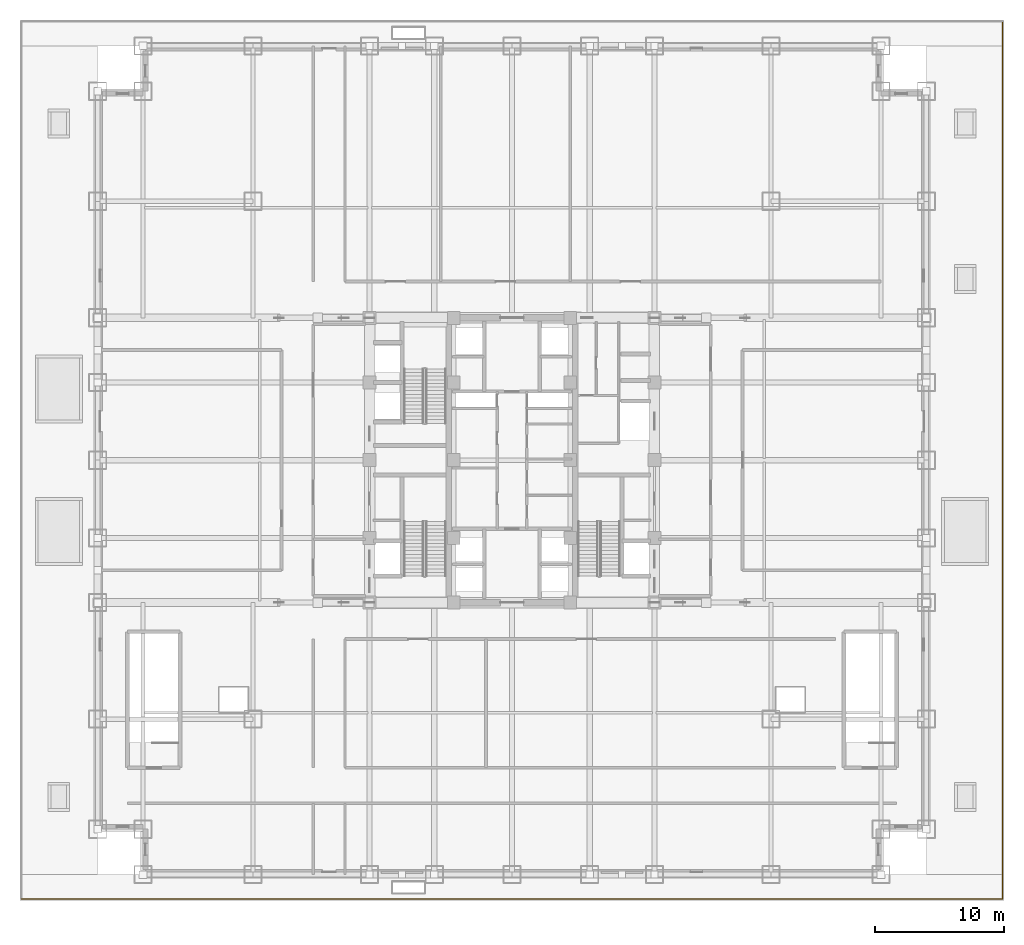
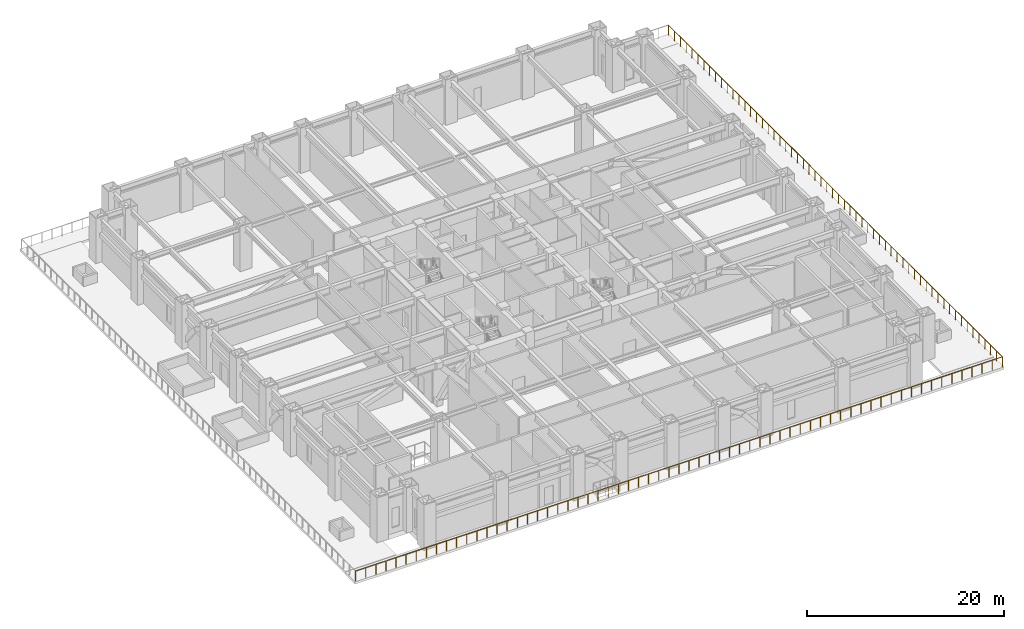
# One storey, part 20 of 21: 1 railing.
"""IFC4 building model written with IfcOpenShell, lengths in metres."""

from ifc_helpers import new_model, si_unit, direction, frame, origin, origin_2d, place, context, subcontext, project, spatial, circle, extrude, source, transform, mapped, material, type_object, element, save


model = new_model("IFC4")

# Units and contexts
model_context = context("Model", 3, precision=1e-05, world=origin(), true_north=direction((0.0, 1.0)))
body_context = subcontext(model_context, "Body", "Model", "MODEL_VIEW")
ifc_project = project(units=[si_unit("LENGTHUNIT", "METRE"), si_unit("AREAUNIT", "SQUARE_METRE"), si_unit("VOLUMEUNIT", "CUBIC_METRE"), si_unit("PLANEANGLEUNIT", "RADIAN"), si_unit("MASSUNIT", "GRAM", prefix="KILO")], contexts=[model_context])

# Site, building, storey
site_placement = place(None, origin())
site = spatial("IfcSite", under=ifc_project, at=site_placement, CompositionType="ELEMENT")
building_placement = place(site_placement, origin())
building = spatial("IfcBuilding", under=site, at=building_placement, Name="Khorayat Bourse Tower", CompositionType="ELEMENT")
storey_placement = place(building_placement, frame((0.0, 0.0, 27.0)))
storey = spatial("IfcBuildingStorey", under=building, at=storey_placement, Name="L05", CompositionType="ELEMENT", Elevation=27.0)

# Railing
ifc_material = material(Name="Laminated glass and bronze balustrade", Category="glass")
railing_type = type_object("IfcRailingType", Name="RLG-TERR-1250", PredefinedType="GUARDRAIL", material=ifc_material)
shared_shape = source(origin(), body_context, "Body", "SweptSolid", [
    extrude(circle(Radius=0.02392578125, at=origin_2d()), frame((0.0, 0.0, 1.22607421875), z_axis=(1.0, 0.0, 0.0), x_axis=(0.0, 1.0, 0.0)), (0.0, 0.0, 1.0), 75.759765625),
    extrude(circle(Radius=0.02392578125, at=origin_2d()), frame((75.759765625, 0.0, 1.22607421875), z_axis=(0.0, 1.0, 0.0), x_axis=(-1.0, 0.0, 0.0)), (0.0, 0.0, 1.0), 67.699951171875),
    extrude(circle(Radius=0.02099609375, at=origin_2d()), origin(), (0.0, 0.0, 1.0), 1.201904296875),
    extrude(circle(Radius=0.02099609375, at=origin_2d()), frame((1.183837890625, 0.0, 0.0)), (0.0, 0.0, 1.0), 1.201904296875),
    extrude(circle(Radius=0.02099609375, at=origin_2d()), frame((2.367431640625, 0.0, 0.0)), (0.0, 0.0, 1.0), 1.201904296875),
    extrude(circle(Radius=0.02099609375, at=origin_2d()), frame((3.55126953125, 0.0, 0.0)), (0.0, 0.0, 1.0), 1.201904296875),
    extrude(circle(Radius=0.02099609375, at=origin_2d()), frame((4.73486328125, 0.0, 0.0)), (0.0, 0.0, 1.0), 1.201904296875),
    extrude(circle(Radius=0.02099609375, at=origin_2d()), frame((5.918701171875, 0.0, 0.0)), (0.0, 0.0, 1.0), 1.201904296875),
    extrude(circle(Radius=0.02099609375, at=origin_2d()), frame((7.1025390625, 0.0, 0.0)), (0.0, 0.0, 1.0), 1.201904296875),
    extrude(circle(Radius=0.02099609375, at=origin_2d()), frame((8.2861328125, 0.0, 0.0)), (0.0, 0.0, 1.0), 1.201904296875),
    extrude(circle(Radius=0.02099609375, at=origin_2d()), frame((9.469970703125, 0.0, 0.0)), (0.0, 0.0, 1.0), 1.201904296875),
    extrude(circle(Radius=0.02099609375, at=origin_2d()), frame((10.65380859375, 0.0, 0.0)), (0.0, 0.0, 1.0), 1.201904296875),
    extrude(circle(Radius=0.02099609375, at=origin_2d()), frame((11.83740234375, 0.0, 0.0)), (0.0, 0.0, 1.0), 1.201904296875),
    extrude(circle(Radius=0.02099609375, at=origin_2d()), frame((13.021240234375, 0.0, 0.0)), (0.0, 0.0, 1.0), 1.201904296875),
    extrude(circle(Radius=0.02099609375, at=origin_2d()), frame((14.205078125, 0.0, 0.0)), (0.0, 0.0, 1.0), 1.201904296875),
    extrude(circle(Radius=0.02099609375, at=origin_2d()), frame((15.388671875, 0.0, 0.0)), (0.0, 0.0, 1.0), 1.201904296875),
    extrude(circle(Radius=0.02099609375, at=origin_2d()), frame((16.572509765625, 0.0, 0.0)), (0.0, 0.0, 1.0), 1.201904296875),
    extrude(circle(Radius=0.02099609375, at=origin_2d()), frame((17.756103515625, 0.0, 0.0)), (0.0, 0.0, 1.0), 1.201904296875),
    extrude(circle(Radius=0.02099609375, at=origin_2d()), frame((18.93994140625, 0.0, 0.0)), (0.0, 0.0, 1.0), 1.201904296875),
    extrude(circle(Radius=0.02099609375, at=origin_2d()), frame((20.123779296875, 0.0, 0.0)), (0.0, 0.0, 1.0), 1.201904296875),
    extrude(circle(Radius=0.02099609375, at=origin_2d()), frame((21.307373046875, 0.0, 0.0)), (0.0, 0.0, 1.0), 1.201904296875),
    extrude(circle(Radius=0.02099609375, at=origin_2d()), frame((22.4912109375, 0.0, 0.0)), (0.0, 0.0, 1.0), 1.201904296875),
    extrude(circle(Radius=0.02099609375, at=origin_2d()), frame((23.6748046875, 0.0, 0.0)), (0.0, 0.0, 1.0), 1.201904296875),
    extrude(circle(Radius=0.02099609375, at=origin_2d()), frame((24.858642578125, 0.0, 0.0)), (0.0, 0.0, 1.0), 1.201904296875),
    extrude(circle(Radius=0.02099609375, at=origin_2d()), frame((26.04248046875, 0.0, 0.0)), (0.0, 0.0, 1.0), 1.201904296875),
    extrude(circle(Radius=0.02099609375, at=origin_2d()), frame((27.22607421875, 0.0, 0.0)), (0.0, 0.0, 1.0), 1.201904296875),
    extrude(circle(Radius=0.02099609375, at=origin_2d()), frame((28.409912109375, 0.0, 0.0)), (0.0, 0.0, 1.0), 1.201904296875),
    extrude(circle(Radius=0.02099609375, at=origin_2d()), frame((29.59375, 0.0, 0.0)), (0.0, 0.0, 1.0), 1.201904296875),
    extrude(circle(Radius=0.02099609375, at=origin_2d()), frame((30.77734375, 0.0, 0.0)), (0.0, 0.0, 1.0), 1.201904296875),
    extrude(circle(Radius=0.02099609375, at=origin_2d()), frame((31.961181640625, 0.0, 0.0)), (0.0, 0.0, 1.0), 1.201904296875),
    extrude(circle(Radius=0.02099609375, at=origin_2d()), frame((33.14501953125, 0.0, 0.0)), (0.0, 0.0, 1.0), 1.201904296875),
    extrude(circle(Radius=0.02099609375, at=origin_2d()), frame((34.32861328125, 0.0, 0.0)), (0.0, 0.0, 1.0), 1.201904296875),
    extrude(circle(Radius=0.02099609375, at=origin_2d()), frame((35.512451171875, 0.0, 0.0)), (0.0, 0.0, 1.0), 1.201904296875),
    extrude(circle(Radius=0.02099609375, at=origin_2d()), frame((36.696044921875, 0.0, 0.0)), (0.0, 0.0, 1.0), 1.201904296875),
    extrude(circle(Radius=0.02099609375, at=origin_2d()), frame((37.8798828125, 0.0, 0.0)), (0.0, 0.0, 1.0), 1.201904296875),
    extrude(circle(Radius=0.02099609375, at=origin_2d()), frame((39.063720703125, 0.0, 0.0)), (0.0, 0.0, 1.0), 1.201904296875),
    extrude(circle(Radius=0.02099609375, at=origin_2d()), frame((40.247314453125, 0.0, 0.0)), (0.0, 0.0, 1.0), 1.201904296875),
    extrude(circle(Radius=0.02099609375, at=origin_2d()), frame((41.43115234375, 0.0, 0.0)), (0.0, 0.0, 1.0), 1.201904296875),
    extrude(circle(Radius=0.02099609375, at=origin_2d()), frame((42.61474609375, 0.0, 0.0)), (0.0, 0.0, 1.0), 1.201904296875),
    extrude(circle(Radius=0.02099609375, at=origin_2d()), frame((43.798583984375, 0.0, 0.0)), (0.0, 0.0, 1.0), 1.201904296875),
    extrude(circle(Radius=0.02099609375, at=origin_2d()), frame((44.982421875, 0.0, 0.0)), (0.0, 0.0, 1.0), 1.201904296875),
    extrude(circle(Radius=0.02099609375, at=origin_2d()), frame((46.166015625, 0.0, 0.0)), (0.0, 0.0, 1.0), 1.201904296875),
    extrude(circle(Radius=0.02099609375, at=origin_2d()), frame((47.349853515625, 0.0, 0.0)), (0.0, 0.0, 1.0), 1.201904296875),
    extrude(circle(Radius=0.02099609375, at=origin_2d()), frame((48.53369140625, 0.0, 0.0)), (0.0, 0.0, 1.0), 1.201904296875),
    extrude(circle(Radius=0.02099609375, at=origin_2d()), frame((49.71728515625, 0.0, 0.0)), (0.0, 0.0, 1.0), 1.201904296875),
    extrude(circle(Radius=0.02099609375, at=origin_2d()), frame((50.901123046875, 0.0, 0.0)), (0.0, 0.0, 1.0), 1.201904296875),
    extrude(circle(Radius=0.02099609375, at=origin_2d()), frame((52.0849609375, 0.0, 0.0)), (0.0, 0.0, 1.0), 1.201904296875),
    extrude(circle(Radius=0.02099609375, at=origin_2d()), frame((53.2685546875, 0.0, 0.0)), (0.0, 0.0, 1.0), 1.201904296875),
    extrude(circle(Radius=0.02099609375, at=origin_2d()), frame((54.452392578125, 0.0, 0.0)), (0.0, 0.0, 1.0), 1.201904296875),
    extrude(circle(Radius=0.02099609375, at=origin_2d()), frame((55.635986328125, 0.0, 0.0)), (0.0, 0.0, 1.0), 1.201904296875),
    extrude(circle(Radius=0.02099609375, at=origin_2d()), frame((56.81982421875, 0.0, 0.0)), (0.0, 0.0, 1.0), 1.201904296875),
    extrude(circle(Radius=0.02099609375, at=origin_2d()), frame((58.003662109375, 0.0, 0.0)), (0.0, 0.0, 1.0), 1.201904296875),
    extrude(circle(Radius=0.02099609375, at=origin_2d()), frame((59.187255859375, 0.0, 0.0)), (0.0, 0.0, 1.0), 1.201904296875),
    extrude(circle(Radius=0.02099609375, at=origin_2d()), frame((60.37109375, 0.0, 0.0)), (0.0, 0.0, 1.0), 1.201904296875),
    extrude(circle(Radius=0.02099609375, at=origin_2d()), frame((61.5546875, 0.0, 0.0)), (0.0, 0.0, 1.0), 1.201904296875),
    extrude(circle(Radius=0.02099609375, at=origin_2d()), frame((62.738525390625, 0.0, 0.0)), (0.0, 0.0, 1.0), 1.201904296875),
    extrude(circle(Radius=0.02099609375, at=origin_2d()), frame((63.92236328125, 0.0, 0.0)), (0.0, 0.0, 1.0), 1.201904296875),
    extrude(circle(Radius=0.02099609375, at=origin_2d()), frame((65.10595703125, 0.0, 0.0)), (0.0, 0.0, 1.0), 1.201904296875),
    extrude(circle(Radius=0.02099609375, at=origin_2d()), frame((66.289794921875, 0.0, 0.0)), (0.0, 0.0, 1.0), 1.201904296875),
    extrude(circle(Radius=0.02099609375, at=origin_2d()), frame((67.4736328125, 0.0, 0.0)), (0.0, 0.0, 1.0), 1.201904296875),
    extrude(circle(Radius=0.02099609375, at=origin_2d()), frame((68.6572265625, 0.0, 0.0)), (0.0, 0.0, 1.0), 1.201904296875),
    extrude(circle(Radius=0.02099609375, at=origin_2d()), frame((69.841064453125, 0.0, 0.0)), (0.0, 0.0, 1.0), 1.201904296875),
    extrude(circle(Radius=0.02099609375, at=origin_2d()), frame((71.02490234375, 0.0, 0.0)), (0.0, 0.0, 1.0), 1.201904296875),
    extrude(circle(Radius=0.02099609375, at=origin_2d()), frame((72.20849609375, 0.0, 0.0)), (0.0, 0.0, 1.0), 1.201904296875),
    extrude(circle(Radius=0.02099609375, at=origin_2d()), frame((73.392333984375, 0.0, 0.0)), (0.0, 0.0, 1.0), 1.201904296875),
    extrude(circle(Radius=0.02099609375, at=origin_2d()), frame((74.575927734375, 0.0, 0.0)), (0.0, 0.0, 1.0), 1.201904296875),
    extrude(circle(Radius=0.02099609375, at=origin_2d()), frame((75.759765625, 0.0, 0.0)), (0.0, 0.0, 1.0), 1.201904296875),
    extrude(circle(Radius=0.02099609375, at=origin_2d()), frame((75.759765625, 1.187744140625, 0.0)), (0.0, 0.0, 1.0), 1.201904296875),
    extrude(circle(Radius=0.02099609375, at=origin_2d()), frame((75.759765625, 2.37548828125, 0.0)), (0.0, 0.0, 1.0), 1.201904296875),
    extrude(circle(Radius=0.02099609375, at=origin_2d()), frame((75.759765625, 3.563232421875, 0.0)), (0.0, 0.0, 1.0), 1.201904296875),
    extrude(circle(Radius=0.02099609375, at=origin_2d()), frame((75.759765625, 4.7509765625, 0.0)), (0.0, 0.0, 1.0), 1.201904296875),
    extrude(circle(Radius=0.02099609375, at=origin_2d()), frame((75.759765625, 5.9384765625, 0.0)), (0.0, 0.0, 1.0), 1.201904296875),
    extrude(circle(Radius=0.02099609375, at=origin_2d()), frame((75.759765625, 7.126220703125, 0.0)), (0.0, 0.0, 1.0), 1.201904296875),
    extrude(circle(Radius=0.02099609375, at=origin_2d()), frame((75.759765625, 8.31396484375, 0.0)), (0.0, 0.0, 1.0), 1.201904296875),
    extrude(circle(Radius=0.02099609375, at=origin_2d()), frame((75.759765625, 9.501708984375, 0.0)), (0.0, 0.0, 1.0), 1.201904296875),
    extrude(circle(Radius=0.02099609375, at=origin_2d()), frame((75.759765625, 10.689453125, 0.0)), (0.0, 0.0, 1.0), 1.201904296875),
    extrude(circle(Radius=0.02099609375, at=origin_2d()), frame((75.759765625, 11.877197265625, 0.0)), (0.0, 0.0, 1.0), 1.201904296875),
    extrude(circle(Radius=0.02099609375, at=origin_2d()), frame((75.759765625, 13.06494140625, 0.0)), (0.0, 0.0, 1.0), 1.201904296875),
    extrude(circle(Radius=0.02099609375, at=origin_2d()), frame((75.759765625, 14.252685546875, 0.0)), (0.0, 0.0, 1.0), 1.201904296875),
    extrude(circle(Radius=0.02099609375, at=origin_2d()), frame((75.759765625, 15.4404296875, 0.0)), (0.0, 0.0, 1.0), 1.201904296875),
    extrude(circle(Radius=0.02099609375, at=origin_2d()), frame((75.759765625, 16.628173828125, 0.0)), (0.0, 0.0, 1.0), 1.201904296875),
    extrude(circle(Radius=0.02099609375, at=origin_2d()), frame((75.759765625, 17.815673828125, 0.0)), (0.0, 0.0, 1.0), 1.201904296875),
    extrude(circle(Radius=0.02099609375, at=origin_2d()), frame((75.759765625, 19.00341796875, 0.0)), (0.0, 0.0, 1.0), 1.201904296875),
    extrude(circle(Radius=0.02099609375, at=origin_2d()), frame((75.759765625, 20.191162109375, 0.0)), (0.0, 0.0, 1.0), 1.201904296875),
    extrude(circle(Radius=0.02099609375, at=origin_2d()), frame((75.759765625, 21.37890625, 0.0)), (0.0, 0.0, 1.0), 1.201904296875),
    extrude(circle(Radius=0.02099609375, at=origin_2d()), frame((75.759765625, 22.566650390625, 0.0)), (0.0, 0.0, 1.0), 1.201904296875),
    extrude(circle(Radius=0.02099609375, at=origin_2d()), frame((75.759765625, 23.75439453125, 0.0)), (0.0, 0.0, 1.0), 1.201904296875),
    extrude(circle(Radius=0.02099609375, at=origin_2d()), frame((75.759765625, 24.942138671875, 0.0)), (0.0, 0.0, 1.0), 1.201904296875),
    extrude(circle(Radius=0.02099609375, at=origin_2d()), frame((75.759765625, 26.1298828125, 0.0)), (0.0, 0.0, 1.0), 1.201904296875),
    extrude(circle(Radius=0.02099609375, at=origin_2d()), frame((75.759765625, 27.317626953125, 0.0)), (0.0, 0.0, 1.0), 1.201904296875),
    extrude(circle(Radius=0.02099609375, at=origin_2d()), frame((75.759765625, 28.505126953125, 0.0)), (0.0, 0.0, 1.0), 1.201904296875),
    extrude(circle(Radius=0.02099609375, at=origin_2d()), frame((75.759765625, 29.69287109375, 0.0)), (0.0, 0.0, 1.0), 1.201904296875),
    extrude(circle(Radius=0.02099609375, at=origin_2d()), frame((75.759765625, 30.880615234375, 0.0)), (0.0, 0.0, 1.0), 1.201904296875),
    extrude(circle(Radius=0.02099609375, at=origin_2d()), frame((75.759765625, 32.068359375, 0.0)), (0.0, 0.0, 1.0), 1.201904296875),
    extrude(circle(Radius=0.02099609375, at=origin_2d()), frame((75.759765625, 33.256103515625, 0.0)), (0.0, 0.0, 1.0), 1.201904296875),
    extrude(circle(Radius=0.02099609375, at=origin_2d()), frame((75.759765625, 34.44384765625, 0.0)), (0.0, 0.0, 1.0), 1.201904296875),
    extrude(circle(Radius=0.02099609375, at=origin_2d()), frame((75.759765625, 35.631591796875, 0.0)), (0.0, 0.0, 1.0), 1.201904296875),
    extrude(circle(Radius=0.02099609375, at=origin_2d()), frame((75.759765625, 36.8193359375, 0.0)), (0.0, 0.0, 1.0), 1.201904296875),
    extrude(circle(Radius=0.02099609375, at=origin_2d()), frame((75.759765625, 38.007080078125, 0.0)), (0.0, 0.0, 1.0), 1.201904296875),
    extrude(circle(Radius=0.02099609375, at=origin_2d()), frame((75.759765625, 39.19482421875, 0.0)), (0.0, 0.0, 1.0), 1.201904296875),
    extrude(circle(Radius=0.02099609375, at=origin_2d()), frame((75.759765625, 40.38232421875, 0.0)), (0.0, 0.0, 1.0), 1.201904296875),
    extrude(circle(Radius=0.02099609375, at=origin_2d()), frame((75.759765625, 41.570068359375, 0.0)), (0.0, 0.0, 1.0), 1.201904296875),
    extrude(circle(Radius=0.02099609375, at=origin_2d()), frame((75.759765625, 42.7578125, 0.0)), (0.0, 0.0, 1.0), 1.201904296875),
    extrude(circle(Radius=0.02099609375, at=origin_2d()), frame((75.759765625, 43.945556640625, 0.0)), (0.0, 0.0, 1.0), 1.201904296875),
    extrude(circle(Radius=0.02099609375, at=origin_2d()), frame((75.759765625, 45.13330078125, 0.0)), (0.0, 0.0, 1.0), 1.201904296875),
    extrude(circle(Radius=0.02099609375, at=origin_2d()), frame((75.759765625, 46.321044921875, 0.0)), (0.0, 0.0, 1.0), 1.201904296875),
    extrude(circle(Radius=0.02099609375, at=origin_2d()), frame((75.759765625, 47.5087890625, 0.0)), (0.0, 0.0, 1.0), 1.201904296875),
    extrude(circle(Radius=0.02099609375, at=origin_2d()), frame((75.759765625, 48.696533203125, 0.0)), (0.0, 0.0, 1.0), 1.201904296875),
    extrude(circle(Radius=0.02099609375, at=origin_2d()), frame((75.759765625, 49.88427734375, 0.0)), (0.0, 0.0, 1.0), 1.201904296875),
    extrude(circle(Radius=0.02099609375, at=origin_2d()), frame((75.759765625, 51.07177734375, 0.0)), (0.0, 0.0, 1.0), 1.201904296875),
    extrude(circle(Radius=0.02099609375, at=origin_2d()), frame((75.759765625, 52.259521484375, 0.0)), (0.0, 0.0, 1.0), 1.201904296875),
    extrude(circle(Radius=0.02099609375, at=origin_2d()), frame((75.759765625, 53.447265625, 0.0)), (0.0, 0.0, 1.0), 1.201904296875),
    extrude(circle(Radius=0.02099609375, at=origin_2d()), frame((75.759765625, 54.635009765625, 0.0)), (0.0, 0.0, 1.0), 1.201904296875),
    extrude(circle(Radius=0.02099609375, at=origin_2d()), frame((75.759765625, 55.82275390625, 0.0)), (0.0, 0.0, 1.0), 1.201904296875),
    extrude(circle(Radius=0.02099609375, at=origin_2d()), frame((75.759765625, 57.010498046875, 0.0)), (0.0, 0.0, 1.0), 1.201904296875),
    extrude(circle(Radius=0.02099609375, at=origin_2d()), frame((75.759765625, 58.1982421875, 0.0)), (0.0, 0.0, 1.0), 1.201904296875),
    extrude(circle(Radius=0.02099609375, at=origin_2d()), frame((75.759765625, 59.385986328125, 0.0)), (0.0, 0.0, 1.0), 1.201904296875),
    extrude(circle(Radius=0.02099609375, at=origin_2d()), frame((75.759765625, 60.57373046875, 0.0)), (0.0, 0.0, 1.0), 1.201904296875),
    extrude(circle(Radius=0.02099609375, at=origin_2d()), frame((75.759765625, 61.761474609375, 0.0)), (0.0, 0.0, 1.0), 1.201904296875),
    extrude(circle(Radius=0.02099609375, at=origin_2d()), frame((75.759765625, 62.948974609375, 0.0)), (0.0, 0.0, 1.0), 1.201904296875),
    extrude(circle(Radius=0.02099609375, at=origin_2d()), frame((75.759765625, 64.13671875, 0.0)), (0.0, 0.0, 1.0), 1.201904296875),
    extrude(circle(Radius=0.02099609375, at=origin_2d()), frame((75.759765625, 65.324462890625, 0.0)), (0.0, 0.0, 1.0), 1.201904296875),
    extrude(circle(Radius=0.02099609375, at=origin_2d()), frame((75.759765625, 66.51220703125, 0.0)), (0.0, 0.0, 1.0), 1.201904296875),
    extrude(circle(Radius=0.02099609375, at=origin_2d()), frame((75.759765625, 67.699951171875, 0.0)), (0.0, 0.0, 1.0), 1.201904296875),
])
railing_placement = place(storey_placement, frame((-37.8798828125, -33.8798828125, 0.0)))
element("IfcRailing", 1, at=railing_placement, inside=storey, type_object=railing_type, Name="L05 Podium Roof Garden Guardrail SE", PredefinedType="GUARDRAIL", context=body_context, shape_type="MappedRepresentation", body=[
    mapped(shared_shape, transform((0.0, 0.0, 0.0), scale=1.0)),
])

save(model, "model.ifc")
